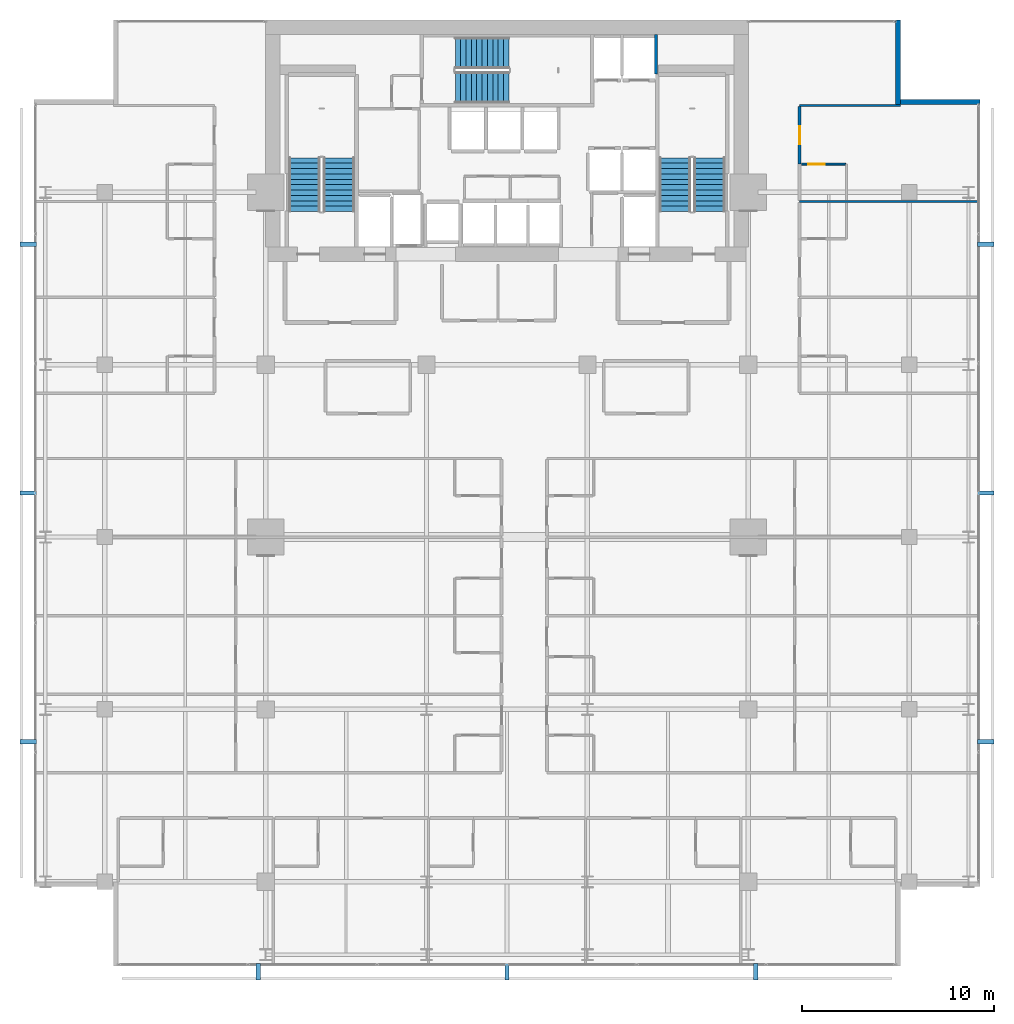
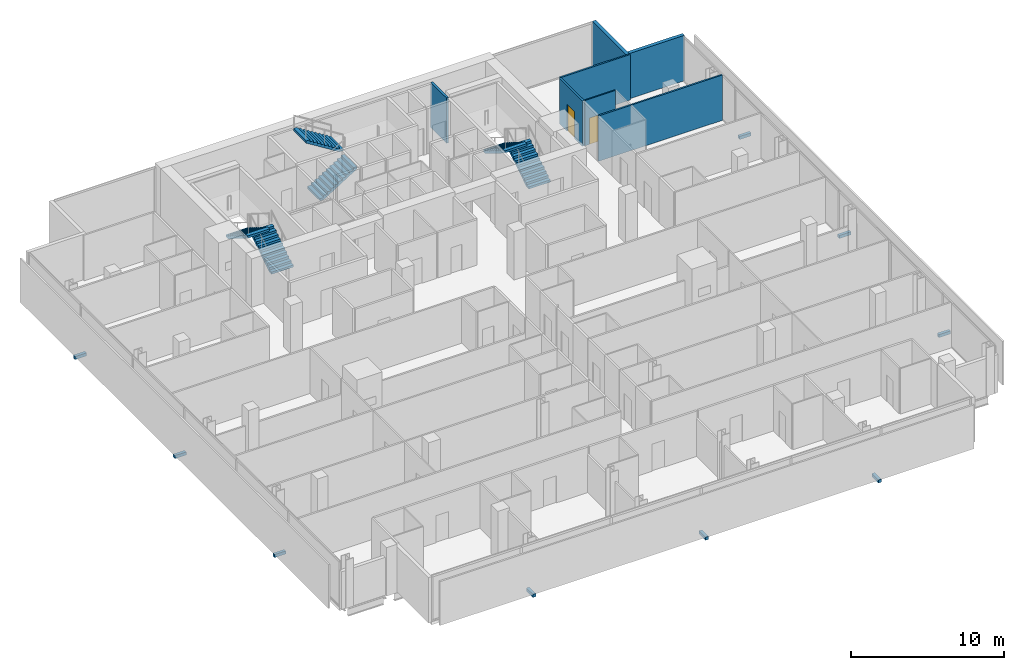
# One storey, part 32 of 34: 9 discrete accessories, 7 walls, 6 stair flights, 2 doors, 2 openings, 3 elements without a shape of their own.
"""IFC4 building model written with IfcOpenShell, lengths in metres."""

from ifc_helpers import new_model, si_unit, direction, frame, frame_2d, origin, origin_2d, place, context, subcontext, project, spatial, polyline, rectangle, outline, extrude, material, layer, layer_set, type_object, element, fill, aggregate, save


model = new_model("IFC4")

# Units and contexts
model_context = context("Model", 3, precision=1e-05, world=origin(), true_north=direction((0.0, 1.0)))
body_context = subcontext(model_context, "Body", "Model", "MODEL_VIEW")
ifc_project = project(units=[si_unit("LENGTHUNIT", "METRE"), si_unit("AREAUNIT", "SQUARE_METRE"), si_unit("VOLUMEUNIT", "CUBIC_METRE"), si_unit("PLANEANGLEUNIT", "RADIAN"), si_unit("MASSUNIT", "GRAM", prefix="KILO")], contexts=[model_context])

# Site, building, storey
site_placement = place(None, origin())
site = spatial("IfcSite", under=ifc_project, at=site_placement, CompositionType="ELEMENT")
building_placement = place(site_placement, origin())
building = spatial("IfcBuilding", under=site, at=building_placement, Name="Maruvema Waterfront Hotel and Observation Tower", CompositionType="ELEMENT")
storey_placement = place(building_placement, frame((0.0, 0.0, 181.300048828125)))
storey = spatial("IfcBuildingStorey", under=building, at=storey_placement, Name="L44", CompositionType="ELEMENT", Elevation=181.300048828125)

# Wall, opening, door
ifc_material_1 = material(Name="Twin-stud acoustic gypsum drywall", Category="gypsum")
ifc_layer_1 = layer(ifc_material_1, 0.14990234375, Name="Acoustic Corridor and Suite Demising Wall 150 mm")
ifc_layer_set_1 = layer_set([ifc_layer_1], Name="Twin-stud acoustic gypsum drywall")
wall_type_1 = type_object("IfcWallType", Name="Acoustic Corridor and Suite Demising Wall 150 mm", PredefinedType="PARTITIONING", material=ifc_layer_set_1)
wall_1_placement = place(storey_placement, frame((53.080078125, 46.47509765625, 0.0), z_axis=(0.0, 0.0, 1.0), x_axis=(0.0, 1.0, 0.0)))
wall_1 = element("IfcWall", 1, at=wall_1_placement, inside=storey, type_object=wall_type_1, Name="L44 Room L44-NE3 Corridor Wall 140", PredefinedType="PARTITIONING", context=body_context, shape_type="SweptSolid", body=[
    extrude(rectangle(XDim=3.00244140625, YDim=0.14990234375, at=frame_2d((1.501220703125, 0.0))), origin(), (0.0, 0.0, 1.0), 3.60986328125),
])
opening_1_placement = place(wall_1_placement, frame((1.026123046875, 0.0, 0.0)))
opening_1 = element("IfcOpeningElement", 2, at=opening_1_placement, cuts=wall_1, Name="Opening DR-095", PredefinedType="OPENING", context=body_context, shape_type="SweptSolid", body=[
    extrude(rectangle(XDim=0.949951171875, YDim=2.14990234375, at=frame_2d((0.47509765625, 1.074951171875))), frame((0.0, 0.0849609375, 0.0), z_axis=(0.0, -1.0, 0.0), x_axis=(1.0, 0.0, 0.0)), (0.0, 0.0, 1.0), 0.169921875),
])
ifc_material_2 = material(Name="Acoustic solid-core hardwood timber leaf", Category="wood")
door_type_1 = type_object("IfcDoorType", Name="Guestroom Entrance Fire Door 950x2150 mm", OperationType="NOTDEFINED", PredefinedType="DOOR", material=ifc_material_2)
door_1_placement = place(opening_1_placement, frame((0.949951171875, 0.0, 0.0), z_axis=(0.0, 0.0, 1.0), x_axis=(-1.0, 0.0, 0.0)))
door_1 = element("IfcDoor", 3, at=door_1_placement, inside=storey, type_object=door_type_1, Name="L44 Room L44-NE3 Entrance Door", OperationType="SINGLE_SWING_LEFT", OverallHeight=2.14990234375, OverallWidth=0.949951171875, PredefinedType="DOOR", context=body_context, shape_type="SweptSolid", body=[
    extrude(rectangle(XDim=0.949951171875, YDim=2.14990234375, at=frame_2d((0.47509765625, 1.074951171875))), frame((0.0, 0.02490234375, 0.0), z_axis=(0.0, -1.0, 0.0), x_axis=(1.0, 0.0, 0.0)), (0.0, 0.0, 1.0), 0.050048828125),
])
fill(opening_1, door_1)

ifc_material_3 = material(Name="Moisture-resistant cement-board drywall", Category="gypsum")
ifc_layer_2 = layer(ifc_material_3, 0.10009765625, Name="En-Suite Moisture-Resistant Partition 100 mm")
ifc_layer_set_2 = layer_set([ifc_layer_2], Name="Moisture-resistant cement-board drywall")
wall_type_2 = type_object("IfcWallType", Name="En-Suite Moisture-Resistant Partition 100 mm", PredefinedType="PARTITIONING", material=ifc_layer_set_2)
wall_2_placement = place(storey_placement, frame((53.179931640625, 46.47509765625, 0.0), z_axis=(0.0, 0.0, 1.0), x_axis=(1.0, 0.0, 0.0)))
wall_2 = element("IfcWall", 4, at=wall_2_placement, inside=storey, type_object=wall_type_2, Name="L44 En-Suite L44-NE3 N 142", PredefinedType="PARTITIONING", context=body_context, shape_type="SweptSolid", body=[
    extrude(rectangle(XDim=2.300048828125, YDim=0.10009765625, at=frame_2d((1.14990234375, 0.0))), origin(), (0.0, 0.0, 1.0), 3.60986328125),
])
opening_2_placement = place(wall_2_placement, frame((0.35009765625, 0.0, 0.0)))
opening_2 = element("IfcOpeningElement", 5, at=opening_2_placement, cuts=wall_2, Name="Opening DR-085", PredefinedType="OPENING", context=body_context, shape_type="SweptSolid", body=[
    extrude(rectangle(XDim=0.85009765625, YDim=2.10009765625, at=frame_2d((0.425048828125, 1.050048828125))), frame((0.0, 0.06005859375, 0.0), z_axis=(0.0, -1.0, 0.0), x_axis=(1.0, 0.0, 0.0)), (0.0, 0.0, 1.0), 0.1201171875),
])
ifc_material_4 = material(Name="Moisture-resistant solid timber leaf", Category="wood")
door_type_2 = type_object("IfcDoorType", Name="En-Suite Bathroom Door 850x2100 mm", OperationType="NOTDEFINED", PredefinedType="DOOR", material=ifc_material_4)
door_2_placement = place(opening_2_placement, origin())
door_2 = element("IfcDoor", 6, at=door_2_placement, inside=storey, type_object=door_type_2, Name="L44 En-Suite L44-NE3 Door", OperationType="SINGLE_SWING_RIGHT", OverallHeight=2.10009765625, OverallWidth=0.85009765625, PredefinedType="DOOR", context=body_context, shape_type="SweptSolid", body=[
    extrude(rectangle(XDim=0.85009765625, YDim=2.10009765625, at=frame_2d((0.425048828125, 1.050048828125))), frame((0.0, 0.02490234375, 0.0), z_axis=(0.0, -1.0, 0.0), x_axis=(1.0, 0.0, 0.0)), (0.0, 0.0, 1.0), 0.050048828125),
])
fill(opening_2, door_2)

# Walls
ifc_material_5 = material(Name="Precast concrete C45/55 with honed Pernambuco granite facing", Category="masonry")
ifc_layer_3 = layer(ifc_material_5, 0.260009765625, Name="Exterior Granite Clad Spandrel and Pier Wall 260 mm")
ifc_layer_set_3 = layer_set([ifc_layer_3], Name="Precast concrete C45/55 with honed Pernambuco granite facing")
wall_type_3 = type_object("IfcWallType", Name="Exterior Granite Clad Spandrel and Pier Wall 260 mm", PredefinedType="SOLIDWALL", material=ifc_layer_set_3)
for number, where, z_axis, x_axis, name in (
    (7, (58.22998046875, 54.0, 0.0), (0.0, 0.0, 1.0), (0.0, -1.0, 0.0), "L44 Corner Notch Granite Pier Wall NE1"),
    (8, (58.10009765625, 49.72998046875, 0.0), (0.0, 0.0, 1.0), (1.0, 0.0, 0.0), "L44 Corner Notch Granite Pier Wall NE2"),
):
    element("IfcWall", number, at=place(storey_placement, frame(where, z_axis=z_axis, x_axis=x_axis)), inside=storey, type_object=wall_type_3, Name=name, PredefinedType="SOLIDWALL", context=body_context, shape_type="SweptSolid", body=[
        extrude(rectangle(XDim=4.39990234375, YDim=0.260009765625, at=frame_2d((2.199951171875, 0.0))), origin(), (0.0, 0.0, 1.0), 3.60986328125),
    ])
ifc_material_6 = material(Name="Acoustic gypsum plasterboard drywall", Category="gypsum")
ifc_layer_4 = layer(ifc_material_6, 0.125, Name="Guestroom Acoustic Demising Wall 125 mm")
ifc_layer_set_4 = layer_set([ifc_layer_4], Name="Acoustic gypsum plasterboard drywall")
wall_type_4 = type_object("IfcWallType", Name="Guestroom Acoustic Demising Wall 125 mm", PredefinedType="PARTITIONING", material=ifc_layer_set_4)
wall_3_placement = place(storey_placement, frame((53.080078125, 49.53759765625, 0.0), z_axis=(0.0, 0.0, 1.0), x_axis=(1.0, 0.0, 0.0)))
element("IfcWall", 9, at=wall_3_placement, inside=storey, type_object=wall_type_4, Name="L44 Z2 NE Top End 114", PredefinedType="PARTITIONING", context=body_context, shape_type="SweptSolid", body=[
    extrude(rectangle(XDim=5.280029296875, YDim=0.125, at=frame_2d((2.64013671875, 0.0))), origin(), (0.0, 0.0, 1.0), 3.60986328125),
])
wall_4_placement = place(storey_placement, frame((53.080078125, 44.52490234375, 0.0), z_axis=(0.0, 0.0, 1.0), x_axis=(1.0, 0.0, 0.0)))
element("IfcWall", 10, at=wall_4_placement, inside=storey, type_object=wall_type_4, Name="L44 Z2 NE Demising 3 134", PredefinedType="PARTITIONING", context=body_context, shape_type="SweptSolid", body=[
    extrude(rectangle(XDim=9.31982421875, YDim=0.125, at=frame_2d((4.659912109375, 0.0))), origin(), (0.0, 0.0, 1.0), 3.60986328125),
])
ifc_material_7 = material(Name="Precast concrete C45/55", Category="concrete")
ifc_layer_5 = layer(ifc_material_7, 0.159912109375, Name="Lift Hoistway Divider Wall 160 mm")
ifc_layer_set_5 = layer_set([ifc_layer_5], Name="Precast concrete C45/55")
wall_type_5 = type_object("IfcWallType", Name="Lift Hoistway Divider Wall 160 mm", PredefinedType="SOLIDWALL", material=ifc_layer_set_5)
wall_5_placement = place(storey_placement, frame((45.590087890625, 51.179931640625, 0.0), z_axis=(0.0, 0.0, 1.0), x_axis=(0.0, 1.0, 0.0)))
element("IfcWall", 11, at=wall_5_placement, inside=storey, type_object=wall_type_5, Name="L44 Hoistway Divider Wall", PredefinedType="SOLIDWALL", context=body_context, shape_type="SweptSolid", body=[
    extrude(rectangle(XDim=2.070068359375, YDim=0.159912109375, at=frame_2d((1.03515625, 0.0))), origin(), (0.0, 0.0, 1.0), 3.60986328125),
])

# Stair, stair flights
ifc_material_8 = material(Name="Concrete C50/60", Category="concrete")
stair_type = type_object("IfcStairType", Name="Dogleg Exit Stair 1650 mm (22R x 175.0 mm)", PredefinedType="HALF_TURN_STAIR", material=ifc_material_8)
stair_1_placement = place(storey_placement, origin())
stair_1 = element("IfcStair", 12, at=stair_1_placement, inside=storey, type_object=stair_type, Name="L44 ST-01", PredefinedType="HALF_TURN_STAIR")
ifc_material_9 = material(Name="Concrete C50/60", Category="concrete")
stair_flight_type = type_object("IfcStairFlightType", Name="Reinforced Concrete Stair Flight 1650 mm (11R x 175.0 mm)", PredefinedType="STRAIGHT", material=ifc_material_9)
stair_flight_1_placement = place(storey_placement, frame((29.02490234375, 44.0, 0.0), z_axis=(0.0, 0.0, 1.0), x_axis=(0.0, 1.0, 0.0)))
stair_flight_1 = element("IfcStairFlight", 13, at=stair_flight_1_placement, type_object=stair_flight_type, Name="ST-01 flight 1", NumberOfRisers=11, NumberOfTreads=10, PredefinedType="STRAIGHT", RiserHeight=0.175, TreadLength=0.28, context=body_context, shape_type="SweptSolid", body=[
    extrude(outline(polyline([(0.0, 0.0), (0.0, 0.175048828125), (0.280029296875, 0.175048828125), (0.280029296875, 0.35009765625), (0.56005859375, 0.35009765625), (0.56005859375, 0.52490234375), (0.840087890625, 0.52490234375), (0.840087890625, 0.699951171875), (1.1201171875, 0.699951171875), (1.1201171875, 0.875), (1.39990234375, 0.875), (1.39990234375, 1.050048828125), (1.679931640625, 1.050048828125), (1.679931640625, 1.22509765625), (1.9599609375, 1.22509765625), (1.9599609375, 1.39990234375), (2.239990234375, 1.39990234375), (2.239990234375, 1.574951171875), (2.52001953125, 1.574951171875), (2.52001953125, 1.75), (2.800048828125, 1.75), (2.800048828125, 1.925048828125), (2.800048828125, 1.5732421875), (0.28271484375, 0.0), (0.0, 0.0)])), frame((0.0, 0.824951171875, 0.0), z_axis=(0.0, -1.0, 0.0), x_axis=(1.0, 0.0, 0.0)), (0.0, 0.0, 1.0), 1.64990234375),
])
stair_flight_2_placement = place(storey_placement, frame((27.22509765625, 46.800048828125, 1.925048828125), z_axis=(0.0, 0.0, 1.0), x_axis=(0.0, -1.0, 0.0)))
stair_flight_2 = element("IfcStairFlight", 14, at=stair_flight_2_placement, type_object=stair_flight_type, Name="ST-01 flight 2", NumberOfRisers=11, NumberOfTreads=10, PredefinedType="STRAIGHT", RiserHeight=0.175, TreadLength=0.28, context=body_context, shape_type="SweptSolid", body=[
    extrude(outline(polyline([(0.0, 0.0), (0.0, 0.175048828125), (0.280029296875, 0.175048828125), (0.280029296875, 0.35009765625), (0.56005859375, 0.35009765625), (0.56005859375, 0.52490234375), (0.840087890625, 0.52490234375), (0.840087890625, 0.699951171875), (1.1201171875, 0.699951171875), (1.1201171875, 0.875), (1.39990234375, 0.875), (1.39990234375, 1.050048828125), (1.679931640625, 1.050048828125), (1.679931640625, 1.22509765625), (1.9599609375, 1.22509765625), (1.9599609375, 1.39990234375), (2.239990234375, 1.39990234375), (2.239990234375, 1.574951171875), (2.52001953125, 1.574951171875), (2.52001953125, 1.75), (2.800048828125, 1.75), (2.800048828125, 1.925048828125), (2.800048828125, 1.5732421875), (0.28271484375, 0.0), (0.0, 0.0)])), frame((0.0, 0.824951171875, 0.0), z_axis=(0.0, -1.0, 0.0), x_axis=(1.0, 0.0, 0.0)), (0.0, 0.0, 1.0), 1.64990234375),
])
aggregate(stair_1, [stair_flight_1, stair_flight_2])

stair_2_placement = place(storey_placement, origin())
stair_2 = element("IfcStair", 15, at=stair_2_placement, inside=storey, type_object=stair_type, Name="L44 ST-02", PredefinedType="HALF_TURN_STAIR")
stair_flight_3_placement = place(storey_placement, frame((35.10009765625, 50.47509765625, 0.0), z_axis=(0.0, 0.0, 1.0), x_axis=(1.0, 0.0, 0.0)))
stair_flight_3 = element("IfcStairFlight", 16, at=stair_flight_3_placement, type_object=stair_flight_type, Name="ST-02 flight 1", NumberOfRisers=11, NumberOfTreads=10, PredefinedType="STRAIGHT", RiserHeight=0.175, TreadLength=0.28, context=body_context, shape_type="SweptSolid", body=[
    extrude(outline(polyline([(0.0, 0.0), (0.0, 0.175048828125), (0.280029296875, 0.175048828125), (0.280029296875, 0.35009765625), (0.56005859375, 0.35009765625), (0.56005859375, 0.52490234375), (0.840087890625, 0.52490234375), (0.840087890625, 0.699951171875), (1.1201171875, 0.699951171875), (1.1201171875, 0.875), (1.39990234375, 0.875), (1.39990234375, 1.050048828125), (1.679931640625, 1.050048828125), (1.679931640625, 1.22509765625), (1.9599609375, 1.22509765625), (1.9599609375, 1.39990234375), (2.239990234375, 1.39990234375), (2.239990234375, 1.574951171875), (2.52001953125, 1.574951171875), (2.52001953125, 1.75), (2.800048828125, 1.75), (2.800048828125, 1.925048828125), (2.800048828125, 1.5732421875), (0.28271484375, 0.0), (0.0, 0.0)])), frame((0.0, 0.824951171875, 0.0), z_axis=(0.0, -1.0, 0.0), x_axis=(1.0, 0.0, 0.0)), (0.0, 0.0, 1.0), 1.64990234375),
])
stair_flight_4_placement = place(storey_placement, frame((37.89990234375, 52.27490234375, 1.925048828125), z_axis=(0.0, 0.0, 1.0), x_axis=(-1.0, 0.0, 0.0)))
stair_flight_4 = element("IfcStairFlight", 17, at=stair_flight_4_placement, type_object=stair_flight_type, Name="ST-02 flight 2", NumberOfRisers=11, NumberOfTreads=10, PredefinedType="STRAIGHT", RiserHeight=0.175, TreadLength=0.28, context=body_context, shape_type="SweptSolid", body=[
    extrude(outline(polyline([(0.0, 0.0), (0.0, 0.175048828125), (0.280029296875, 0.175048828125), (0.280029296875, 0.35009765625), (0.56005859375, 0.35009765625), (0.56005859375, 0.52490234375), (0.840087890625, 0.52490234375), (0.840087890625, 0.699951171875), (1.1201171875, 0.699951171875), (1.1201171875, 0.875), (1.39990234375, 0.875), (1.39990234375, 1.050048828125), (1.679931640625, 1.050048828125), (1.679931640625, 1.22509765625), (1.9599609375, 1.22509765625), (1.9599609375, 1.39990234375), (2.239990234375, 1.39990234375), (2.239990234375, 1.574951171875), (2.52001953125, 1.574951171875), (2.52001953125, 1.75), (2.800048828125, 1.75), (2.800048828125, 1.925048828125), (2.800048828125, 1.5732421875), (0.28271484375, 0.0), (0.0, 0.0)])), frame((0.0, 0.824951171875, 0.0), z_axis=(0.0, -1.0, 0.0), x_axis=(1.0, 0.0, 0.0)), (0.0, 0.0, 1.0), 1.64990234375),
])
aggregate(stair_2, [stair_flight_3, stair_flight_4])

stair_3_placement = place(storey_placement, origin())
stair_3 = element("IfcStair", 18, at=stair_3_placement, inside=storey, type_object=stair_type, Name="L44 ST-03", PredefinedType="HALF_TURN_STAIR")
stair_flight_5_placement = place(storey_placement, frame((48.375, 44.0, 0.0), z_axis=(0.0, 0.0, 1.0), x_axis=(0.0, 1.0, 0.0)))
stair_flight_5 = element("IfcStairFlight", 19, at=stair_flight_5_placement, type_object=stair_flight_type, Name="ST-03 flight 1", NumberOfRisers=11, NumberOfTreads=10, PredefinedType="STRAIGHT", RiserHeight=0.175, TreadLength=0.28, context=body_context, shape_type="SweptSolid", body=[
    extrude(outline(polyline([(0.0, 0.0), (0.0, 0.175048828125), (0.280029296875, 0.175048828125), (0.280029296875, 0.35009765625), (0.56005859375, 0.35009765625), (0.56005859375, 0.52490234375), (0.840087890625, 0.52490234375), (0.840087890625, 0.699951171875), (1.1201171875, 0.699951171875), (1.1201171875, 0.875), (1.39990234375, 0.875), (1.39990234375, 1.050048828125), (1.679931640625, 1.050048828125), (1.679931640625, 1.22509765625), (1.9599609375, 1.22509765625), (1.9599609375, 1.39990234375), (2.239990234375, 1.39990234375), (2.239990234375, 1.574951171875), (2.52001953125, 1.574951171875), (2.52001953125, 1.75), (2.800048828125, 1.75), (2.800048828125, 1.925048828125), (2.800048828125, 1.5732421875), (0.28271484375, 0.0), (0.0, 0.0)])), frame((0.0, 0.824951171875, 0.0), z_axis=(0.0, -1.0, 0.0), x_axis=(1.0, 0.0, 0.0)), (0.0, 0.0, 1.0), 1.64990234375),
])
stair_flight_6_placement = place(storey_placement, frame((46.574951171875, 46.800048828125, 1.925048828125), z_axis=(0.0, 0.0, 1.0), x_axis=(0.0, -1.0, 0.0)))
stair_flight_6 = element("IfcStairFlight", 20, at=stair_flight_6_placement, type_object=stair_flight_type, Name="ST-03 flight 2", NumberOfRisers=11, NumberOfTreads=10, PredefinedType="STRAIGHT", RiserHeight=0.175, TreadLength=0.28, context=body_context, shape_type="SweptSolid", body=[
    extrude(outline(polyline([(0.0, 0.0), (0.0, 0.175048828125), (0.280029296875, 0.175048828125), (0.280029296875, 0.35009765625), (0.56005859375, 0.35009765625), (0.56005859375, 0.52490234375), (0.840087890625, 0.52490234375), (0.840087890625, 0.699951171875), (1.1201171875, 0.699951171875), (1.1201171875, 0.875), (1.39990234375, 0.875), (1.39990234375, 1.050048828125), (1.679931640625, 1.050048828125), (1.679931640625, 1.22509765625), (1.9599609375, 1.22509765625), (1.9599609375, 1.39990234375), (2.239990234375, 1.39990234375), (2.239990234375, 1.574951171875), (2.52001953125, 1.574951171875), (2.52001953125, 1.75), (2.800048828125, 1.75), (2.800048828125, 1.925048828125), (2.800048828125, 1.5732421875), (0.28271484375, 0.0), (0.0, 0.0)])), frame((0.0, 0.824951171875, 0.0), z_axis=(0.0, -1.0, 0.0), x_axis=(1.0, 0.0, 0.0)), (0.0, 0.0, 1.0), 1.64990234375),
])
aggregate(stair_3, [stair_flight_5, stair_flight_6])

# Discrete accessories
ifc_material_10 = material(Name="Duplex stainless steel Grade 2205", Category="steel")
discrete_accessory_type = type_object("IfcDiscreteAccessoryType", Name="Double-Skin Cavity Stainless Outrigger Bracket", PredefinedType="BRACKET", material=ifc_material_10)
for number, where, z_axis, x_axis, name in (
    (21, (24.80810546875, 4.300048828125, -0.14013671875), (0.0, 0.0, 1.0), (1.0, 0.0, 0.0), "L44 Outer Skin Support Bracket 1"),
    (22, (37.800048828125, 4.300048828125, -0.14013671875), (0.0, 0.0, 1.0), (1.0, 0.0, 0.0), "L44 Outer Skin Support Bracket 2"),
    (23, (50.7919921875, 4.300048828125, -0.14013671875), (0.0, 0.0, 1.0), (1.0, 0.0, 0.0), "L44 Outer Skin Support Bracket 3"),
    (24, (62.800048828125, 16.30810546875, -0.14013671875), (0.0, 0.0, 1.0), (0.0, 1.0, 0.0), "L44 Outer Skin Support Bracket 1"),
    (25, (62.800048828125, 29.300048828125, -0.14013671875), (0.0, 0.0, 1.0), (0.0, 1.0, 0.0), "L44 Outer Skin Support Bracket 2"),
    (26, (62.800048828125, 42.2919921875, -0.14013671875), (0.0, 0.0, 1.0), (0.0, 1.0, 0.0), "L44 Outer Skin Support Bracket 3"),
    (27, (12.800048828125, 42.2919921875, -0.14013671875), (0.0, 0.0, 1.0), (0.0, -1.0, 0.0), "L44 Outer Skin Support Bracket 1"),
    (28, (12.800048828125, 29.300048828125, -0.14013671875), (0.0, 0.0, 1.0), (0.0, -1.0, 0.0), "L44 Outer Skin Support Bracket 2"),
    (29, (12.800048828125, 16.30810546875, -0.14013671875), (0.0, 0.0, 1.0), (0.0, -1.0, 0.0), "L44 Outer Skin Support Bracket 3"),
):
    element("IfcDiscreteAccessory", number, at=place(storey_placement, frame(where, z_axis=z_axis, x_axis=x_axis)), inside=storey, type_object=discrete_accessory_type, Name=name, PredefinedType="BRACKET", context=body_context, shape_type="SweptSolid", body=[
        extrude(rectangle(XDim=0.219970703125, YDim=0.860107421875, at=origin_2d()), origin(), (0.0, 0.0, 1.0), 0.239990234375),
    ])

save(model, "model.ifc")
